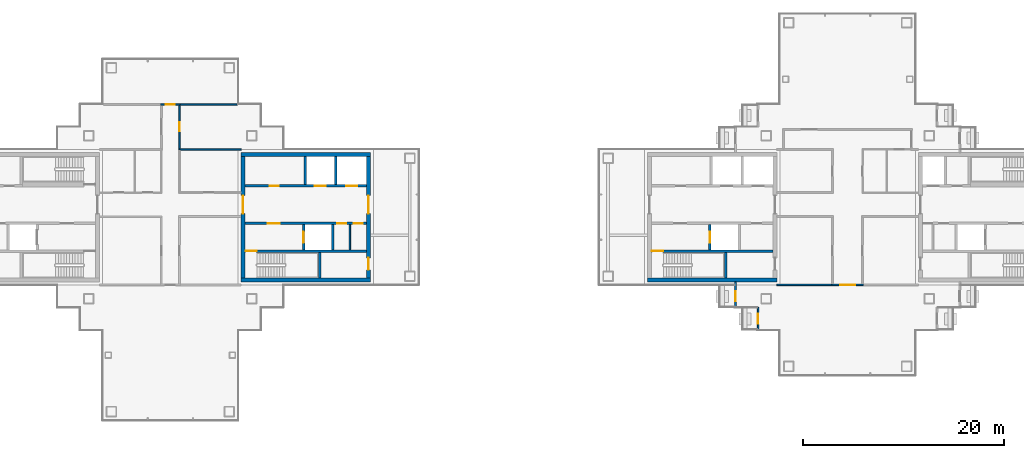
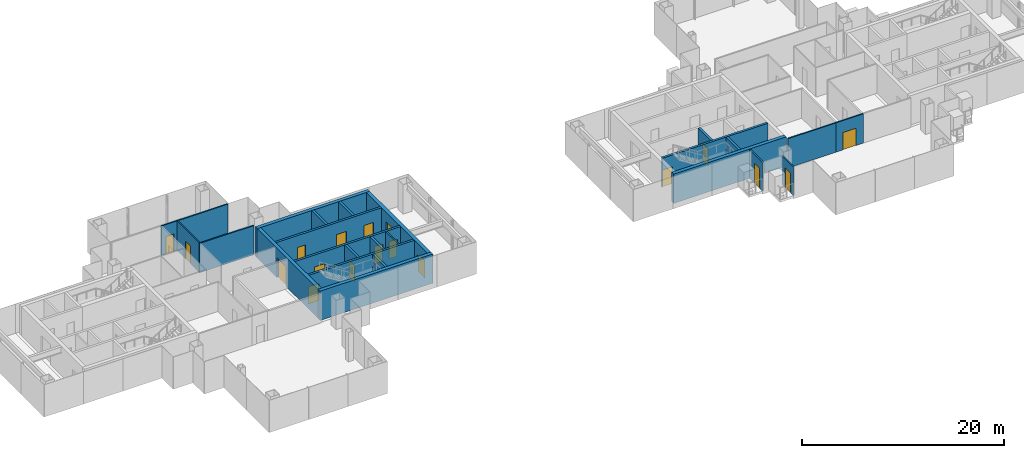
# One storey, part 10 of 16: 25 walls, 18 doors, 18 openings.
"""IFC4 building model written with IfcOpenShell, lengths in metres."""

from ifc_helpers import new_model, si_unit, direction, frame, frame_2d, origin, place, context, subcontext, project, spatial, rectangle, extrude, material, layer, layer_set, type_object, element, fill, save


model = new_model("IFC4")

# Units and contexts
model_context = context("Model", 3, precision=1e-05, world=origin(), true_north=direction((0.0, 1.0)))
body_context = subcontext(model_context, "Body", "Model", "MODEL_VIEW")
ifc_project = project(units=[si_unit("LENGTHUNIT", "METRE"), si_unit("AREAUNIT", "SQUARE_METRE"), si_unit("VOLUMEUNIT", "CUBIC_METRE"), si_unit("PLANEANGLEUNIT", "RADIAN"), si_unit("MASSUNIT", "GRAM", prefix="KILO")], contexts=[model_context])

# Site, building, storey
site_placement = place(None, origin())
site = spatial("IfcSite", under=ifc_project, at=site_placement, CompositionType="ELEMENT")
building_placement = place(site_placement, origin())
building = spatial("IfcBuilding", under=site, at=building_placement, Name="Shamsa Quay Exchange Towers", CompositionType="ELEMENT")
storey_placement = place(building_placement, frame((0.0, 0.0, 210.0)))
storey = spatial("IfcBuildingStorey", under=building, at=storey_placement, Name="L50", CompositionType="ELEMENT", Elevation=210.0)

# Wall, opening, door
ifc_material_1 = material(Name="Aluminium EN AW-6063 T6, black anodised, with black enamelled glass infill", Category="aluminium")
ifc_layer_1 = layer(ifc_material_1, 0.14990234375)
ifc_layer_set_1 = layer_set([ifc_layer_1], Name="BALCONY DOOR BAY WALL 150")
wall_type_1 = type_object("IfcWallType", Name="BALCONY DOOR BAY WALL 150", PredefinedType="SOLIDWALL", material=ifc_layer_set_1)
wall_1_placement = place(storey_placement, frame((22.574951171875, -9.0, 0.0), z_axis=(0.0, 0.0, 1.0), x_axis=(0.0, 1.0, 0.0)))
wall_1 = element("IfcWall", 1, at=wall_1_placement, inside=storey, type_object=wall_type_1, Name="Door bay T2-PKWN L50", PredefinedType="SOLIDWALL", context=body_context, shape_type="SweptSolid", body=[
    extrude(rectangle(XDim=2.556884765625, YDim=0.14990234375, at=frame_2d((1.2783203125, 0.0))), origin(), (0.0, 0.0, 1.0), 3.449951171875),
])
opening_1_placement = place(wall_1_placement, frame((0.625, 0.0, 0.0)))
opening_1 = element("IfcOpeningElement", 2, at=opening_1_placement, cuts=wall_1, Name="Opening XD333", PredefinedType="OPENING", context=body_context, shape_type="SweptSolid", body=[
    extrude(rectangle(XDim=1.0, YDim=2.39990234375, at=frame_2d((0.5, 1.199951171875))), frame((0.0, 0.0849609375, 0.0), z_axis=(0.0, -1.0, 0.0), x_axis=(1.0, 0.0, 0.0)), (0.0, 0.0, 1.0), 0.169921875),
])
ifc_material_2 = material(Name="Aluminium EN AW-6063 T6, black anodised, with laminated glass leaf", Category="aluminium")
door_type_1 = type_object("IfcDoorType", Name="BALCONY DOOR 1000x2400", OperationType="SINGLE_SWING_LEFT", PredefinedType="DOOR", material=ifc_material_2)
door_1_placement = place(opening_1_placement, origin())
door_1 = element("IfcDoor", 3, at=door_1_placement, inside=storey, type_object=door_type_1, Name="Balcony door T2-PKWN L50", OperationType="SINGLE_SWING_LEFT", OverallHeight=2.39990234375, OverallWidth=1.0, PredefinedType="DOOR", context=body_context, shape_type="SweptSolid", body=[
    extrude(rectangle(XDim=1.0, YDim=2.39990234375, at=frame_2d((0.5, 1.199951171875))), frame((0.0, 0.02490234375, 0.0), z_axis=(0.0, -1.0, 0.0), x_axis=(1.0, 0.0, 0.0)), (0.0, 0.0, 1.0), 0.050048828125),
])
fill(opening_1, door_1)

wall_2_placement = place(storey_placement, frame((24.824951171875, -11.25, 0.0), z_axis=(0.0, 0.0, 1.0), x_axis=(0.0, 1.0, 0.0)))
wall_2 = element("IfcWall", 4, at=wall_2_placement, inside=storey, type_object=wall_type_1, Name="Door bay T2-PKWN L50", PredefinedType="SOLIDWALL", context=body_context, shape_type="SweptSolid", body=[
    extrude(rectangle(XDim=2.25, YDim=0.14990234375, at=frame_2d((1.125, 0.0))), origin(), (0.0, 0.0, 1.0), 3.449951171875),
])
opening_2_placement = place(wall_2_placement, frame((0.625, 0.0, 0.0)))
opening_2 = element("IfcOpeningElement", 5, at=opening_2_placement, cuts=wall_2, Name="Opening XD334", PredefinedType="OPENING", context=body_context, shape_type="SweptSolid", body=[
    extrude(rectangle(XDim=1.0, YDim=2.39990234375, at=frame_2d((0.5, 1.199951171875))), frame((0.0, 0.0849609375, 0.0), z_axis=(0.0, -1.0, 0.0), x_axis=(1.0, 0.0, 0.0)), (0.0, 0.0, 1.0), 0.169921875),
])
door_2_placement = place(opening_2_placement, origin())
door_2 = element("IfcDoor", 6, at=door_2_placement, inside=storey, type_object=door_type_1, Name="Balcony door T2-PKWN L50", OperationType="SINGLE_SWING_RIGHT", OverallHeight=2.39990234375, OverallWidth=1.0, PredefinedType="DOOR", context=body_context, shape_type="SweptSolid", body=[
    extrude(rectangle(XDim=1.0, YDim=2.39990234375, at=frame_2d((0.5, 1.199951171875))), frame((0.0, 0.02490234375, 0.0), z_axis=(0.0, -1.0, 0.0), x_axis=(1.0, 0.0, 0.0)), (0.0, 0.0, 1.0), 0.050048828125),
])
fill(opening_2, door_2)

# Walls
ifc_material_3 = material(Name="Concrete C60/75", Category="concrete")
ifc_layer_2 = layer(ifc_material_3, 0.39990234375)
ifc_layer_set_2 = layer_set([ifc_layer_2], Name="CORE WALL 400 C60/75")
wall_type_2 = type_object("IfcWallType", Name="CORE WALL 400 C60/75", PredefinedType="SHEAR", material=ifc_layer_set_2)
for number, where, name in (
    (7, (-26.699951171875, -6.25, 0.0), "Core wall T1A-R23-PS"),
    (8, (-26.699951171875, 6.25, 0.0), "Core wall T1A-R23-PN"),
):
    element("IfcWall", number, at=place(storey_placement, frame(where)), inside=storey, type_object=wall_type_2, Name=name, PredefinedType="SHEAR", context=body_context, shape_type="SweptSolid", body=[
        extrude(rectangle(XDim=12.89990234375, YDim=0.39990234375, at=frame_2d((6.449951171875, 0.0))), origin(), (0.0, 0.0, 1.0), 3.550048828125),
    ])

# Wall, opening, door
wall_3_placement = place(storey_placement, frame((-26.5, 6.050048828125, 0.0), z_axis=(0.0, 0.0, 1.0), x_axis=(0.0, -1.0, 0.0)))
wall_3 = element("IfcWall", 9, at=wall_3_placement, inside=storey, type_object=wall_type_2, Name="Core wall T1A-R23-PF", PredefinedType="SHEAR", context=body_context, shape_type="SweptSolid", body=[
    extrude(rectangle(XDim=12.10009765625, YDim=0.39990234375, at=frame_2d((6.050048828125, 0.0))), origin(), (0.0, 0.0, 1.0), 3.550048828125),
])
opening_3_placement = place(wall_3_placement, frame((3.89990234375, 0.0, 0.0)))
opening_3 = element("IfcOpeningElement", 10, at=opening_3_placement, cuts=wall_3, Name="Opening T1A-R23-LBD01", PredefinedType="OPENING", context=body_context, shape_type="SweptSolid", body=[
    extrude(rectangle(XDim=1.800048828125, YDim=2.39990234375, at=frame_2d((0.89990234375, 1.199951171875))), frame((0.0, 0.2099609375, 0.0), z_axis=(0.0, -1.0, 0.0), x_axis=(1.0, 0.0, 0.0)), (0.0, 0.0, 1.0), 0.419921875),
])
ifc_material_4 = material(Name="Steel, fire rated", Category="steel")
door_type_2 = type_object("IfcDoorType", Name="LIFT LOBBY DOOR PAIR 1800", OperationType="DOUBLE_DOOR_SINGLE_SWING", PredefinedType="DOOR", material=ifc_material_4)
door_3_placement = place(opening_3_placement, origin())
door_3 = element("IfcDoor", 11, at=door_3_placement, inside=storey, type_object=door_type_2, Name="T1A-R23-LBD01", OperationType="DOUBLE_DOOR_SINGLE_SWING", OverallHeight=2.39990234375, OverallWidth=1.800048828125, PredefinedType="DOOR", context=body_context, shape_type="SweptSolid", body=[
    extrude(rectangle(XDim=1.800048828125, YDim=2.39990234375, at=frame_2d((0.89990234375, 1.199951171875))), frame((0.0, 0.02490234375, 0.0), z_axis=(0.0, -1.0, 0.0), x_axis=(1.0, 0.0, 0.0)), (0.0, 0.0, 1.0), 0.050048828125),
])
fill(opening_3, door_3)

# Wall, openings, doors
wall_4_placement = place(storey_placement, frame((-14.0, 6.050048828125, 0.0), z_axis=(0.0, 0.0, 1.0), x_axis=(0.0, -1.0, 0.0)))
wall_4 = element("IfcWall", 12, at=wall_4_placement, inside=storey, type_object=wall_type_2, Name="Core wall T1A-R23-PB", PredefinedType="SHEAR", context=body_context, shape_type="SweptSolid", body=[
    extrude(rectangle(XDim=12.10009765625, YDim=0.39990234375, at=frame_2d((6.050048828125, 0.0))), origin(), (0.0, 0.0, 1.0), 3.550048828125),
])
opening_4_placement = place(wall_4_placement, frame((10.10009765625, 0.0, 0.0)))
opening_4 = element("IfcOpeningElement", 13, at=opening_4_placement, cuts=wall_4, Name="Opening T1A-R23-RD02", PredefinedType="OPENING", context=body_context, shape_type="SweptSolid", body=[
    extrude(rectangle(XDim=1.199951171875, YDim=2.10009765625, at=frame_2d((0.60009765625, 1.050048828125))), frame((0.0, 0.2099609375, 0.0), z_axis=(0.0, -1.0, 0.0), x_axis=(1.0, 0.0, 0.0)), (0.0, 0.0, 1.0), 0.419921875),
])
opening_5_placement = place(wall_4_placement, frame((3.89990234375, 0.0, 0.0)))
opening_5 = element("IfcOpeningElement", 14, at=opening_5_placement, cuts=wall_4, Name="Opening T1A-R23-LBD03", PredefinedType="OPENING", context=body_context, shape_type="SweptSolid", body=[
    extrude(rectangle(XDim=1.800048828125, YDim=2.39990234375, at=frame_2d((0.89990234375, 1.199951171875))), frame((0.0, 0.2099609375, 0.0), z_axis=(0.0, -1.0, 0.0), x_axis=(1.0, 0.0, 0.0)), (0.0, 0.0, 1.0), 0.419921875),
])
door_4_placement = place(opening_5_placement, origin())
door_4 = element("IfcDoor", 15, at=door_4_placement, inside=storey, type_object=door_type_2, Name="T1A-R23-LBD03", OperationType="DOUBLE_DOOR_SINGLE_SWING", OverallHeight=2.39990234375, OverallWidth=1.800048828125, PredefinedType="DOOR", context=body_context, shape_type="SweptSolid", body=[
    extrude(rectangle(XDim=1.800048828125, YDim=2.39990234375, at=frame_2d((0.89990234375, 1.199951171875))), frame((0.0, 0.02490234375, 0.0), z_axis=(0.0, -1.0, 0.0), x_axis=(1.0, 0.0, 0.0)), (0.0, 0.0, 1.0), 0.050048828125),
])
fill(opening_5, door_4)
door_type_3 = type_object("IfcDoorType", Name="RISER ACCESS DOOR 1200", OperationType="SINGLE_SWING_LEFT", PredefinedType="DOOR", material=ifc_material_4)
door_5_placement = place(opening_4_placement, origin())
door_5 = element("IfcDoor", 16, at=door_5_placement, inside=storey, type_object=door_type_3, Name="T1A-R23-RD02", OperationType="SINGLE_SWING_RIGHT", OverallHeight=2.10009765625, OverallWidth=1.199951171875, PredefinedType="DOOR", context=body_context, shape_type="SweptSolid", body=[
    extrude(rectangle(XDim=1.199951171875, YDim=2.10009765625, at=frame_2d((0.60009765625, 1.050048828125))), frame((0.0, 0.02490234375, 0.0), z_axis=(0.0, -1.0, 0.0), x_axis=(1.0, 0.0, 0.0)), (0.0, 0.0, 1.0), 0.050048828125),
])
fill(opening_4, door_5)

# Walls
wall_5_placement = place(storey_placement, frame((13.800048828125, -6.25, 0.0)))
element("IfcWall", 17, at=wall_5_placement, inside=storey, type_object=wall_type_2, Name="Core wall T2A-R23-PS", PredefinedType="SHEAR", context=body_context, shape_type="SweptSolid", body=[
    extrude(rectangle(XDim=12.89990234375, YDim=0.39990234375, at=frame_2d((6.449951171875, 0.0))), origin(), (0.0, 0.0, 1.0), 3.550048828125),
])
ifc_material_5 = material(Name="Gypsum board on steel studs, EI 60", Category="steel")
ifc_layer_3 = layer(ifc_material_5, 0.14990234375)
ifc_layer_set_3 = layer_set([ifc_layer_3], Name="FIRE PARTITION 150")
wall_type_3 = type_object("IfcWallType", Name="FIRE PARTITION 150", PredefinedType="PARTITIONING", material=ifc_layer_set_3)
wall_6_placement = place(storey_placement, frame((-15.85009765625, -3.25, 0.0), z_axis=(0.0, 0.0, 1.0), x_axis=(0.0, 1.0, 0.0)))
element("IfcWall", 18, at=wall_6_placement, inside=storey, type_object=wall_type_3, Name="Partition T1A-R23-EC0", PredefinedType="PARTITIONING", context=body_context, shape_type="SweptSolid", body=[
    extrude(rectangle(XDim=2.5, YDim=0.14990234375, at=frame_2d((1.25, 0.0))), origin(), (0.0, 0.0, 1.0), 3.550048828125),
])

# Wall, opening, door
ifc_material_6 = material(Name="Gypsum board partition on metal studs")
ifc_layer_4 = layer(ifc_material_6, 0.14990234375)
ifc_layer_set_4 = layer_set([ifc_layer_4], Name="Partition 150 mm EI 60")
wall_type_4 = type_object("IfcWallType", Name="Partition 150 mm EI 60", PredefinedType="PARTITIONING", material=ifc_layer_set_4)
wall_7_placement = place(storey_placement, frame((-32.849609375, 11.175048828125, 0.0), z_axis=(0.0, 0.0, 1.0), x_axis=(0.0, -1.0, 0.0)))
wall_7 = element("IfcWall", 19, at=wall_7_placement, inside=storey, type_object=wall_type_4, Name="Partition T1-R23-W09", PredefinedType="PARTITIONING", context=body_context, shape_type="SweptSolid", body=[
    extrude(rectangle(XDim=4.35009765625, YDim=0.14990234375, at=frame_2d((2.175048828125, 0.0))), origin(), (0.0, 0.0, 1.0), 3.550048828125),
])
opening_6_placement = place(wall_7_placement, frame((1.72509765625, 0.0, 0.0)))
opening_6 = element("IfcOpeningElement", 20, at=opening_6_placement, cuts=wall_7, Name="Opening T1-R23-D09", PredefinedType="OPENING", context=body_context, shape_type="SweptSolid", body=[
    extrude(rectangle(XDim=0.89990234375, YDim=2.10009765625, at=frame_2d((0.449951171875, 1.050048828125))), frame((0.0, 0.0849609375, 0.0), z_axis=(0.0, -1.0, 0.0), x_axis=(1.0, 0.0, 0.0)), (0.0, 0.0, 1.0), 0.169921875),
])
ifc_material_7 = material(Name="Timber door leaf in a metal frame", Category="wood")
door_type_4 = type_object("IfcDoorType", Name="Door 900x2100 FD30S", OperationType="NOTDEFINED", PredefinedType="DOOR", material=ifc_material_7)
door_6_placement = place(opening_6_placement, origin())
door_6 = element("IfcDoor", 21, at=door_6_placement, inside=storey, type_object=door_type_4, Name="Door T1-R23-D09", OperationType="SINGLE_SWING_LEFT", OverallHeight=2.10009765625, OverallWidth=0.89990234375, PredefinedType="DOOR", context=body_context, shape_type="SweptSolid", body=[
    extrude(rectangle(XDim=0.89990234375, YDim=2.10009765625, at=frame_2d((0.449951171875, 1.050048828125))), frame((0.0, 0.02490234375, 0.0), z_axis=(0.0, -1.0, 0.0), x_axis=(1.0, 0.0, 0.0)), (0.0, 0.0, 1.0), 0.050048828125),
])
fill(opening_6, door_6)

wall_8_placement = place(storey_placement, frame((-34.725341796875, 11.25, 0.0)))
wall_8 = element("IfcWall", 22, at=wall_8_placement, inside=storey, type_object=wall_type_4, Name="Partition T1-R23-W11", PredefinedType="PARTITIONING", context=body_context, shape_type="SweptSolid", body=[
    extrude(rectangle(XDim=1.95068359375, YDim=0.14990234375, at=frame_2d((0.975341796875, 0.0))), origin(), (0.0, 0.0, 1.0), 3.550048828125),
])
opening_7_placement = place(wall_8_placement, frame((0.525390625, 0.0, 0.0)))
opening_7 = element("IfcOpeningElement", 23, at=opening_7_placement, cuts=wall_8, Name="Opening T1-R23-D05", PredefinedType="OPENING", context=body_context, shape_type="SweptSolid", body=[
    extrude(rectangle(XDim=0.89990234375, YDim=2.10009765625, at=frame_2d((0.449951171875, 1.050048828125))), frame((0.0, 0.0849609375, 0.0), z_axis=(0.0, -1.0, 0.0), x_axis=(1.0, 0.0, 0.0)), (0.0, 0.0, 1.0), 0.169921875),
])
door_7_placement = place(opening_7_placement, origin())
door_7 = element("IfcDoor", 24, at=door_7_placement, inside=storey, type_object=door_type_4, Name="Door T1-R23-D05", OperationType="SINGLE_SWING_LEFT", OverallHeight=2.10009765625, OverallWidth=0.89990234375, PredefinedType="DOOR", context=body_context, shape_type="SweptSolid", body=[
    extrude(rectangle(XDim=0.89990234375, YDim=2.10009765625, at=frame_2d((0.449951171875, 1.050048828125))), frame((0.0, 0.02490234375, 0.0), z_axis=(0.0, -1.0, 0.0), x_axis=(1.0, 0.0, 0.0)), (0.0, 0.0, 1.0), 0.050048828125),
])
fill(opening_7, door_7)

# Walls
wall_9_placement = place(storey_placement, frame((-26.699951171875, 6.75, 0.0), z_axis=(0.0, 0.0, 1.0), x_axis=(-1.0, 0.0, 0.0)))
element("IfcWall", 25, at=wall_9_placement, inside=storey, type_object=wall_type_4, Name="Partition T1-R23-W13", PredefinedType="PARTITIONING", context=body_context, shape_type="SweptSolid", body=[
    extrude(rectangle(XDim=6.224609375, YDim=0.14990234375, at=frame_2d((3.1123046875, 0.0))), origin(), (0.0, 0.0, 1.0), 3.550048828125),
])
wall_10_placement = place(storey_placement, frame((-27.094970703125, 11.25, 0.0), z_axis=(0.0, 0.0, 1.0), x_axis=(-1.0, 0.0, 0.0)))
element("IfcWall", 26, at=wall_10_placement, inside=storey, type_object=wall_type_4, Name="Partition T1-R23-W18", PredefinedType="PARTITIONING", context=body_context, shape_type="SweptSolid", body=[
    extrude(rectangle(XDim=5.82958984375, YDim=0.14990234375, at=frame_2d((2.914794921875, 0.0))), origin(), (0.0, 0.0, 1.0), 3.550048828125),
])

# Wall, opening, door
wall_11_placement = place(storey_placement, frame((35.324951171875, -6.75, 0.0), z_axis=(0.0, 0.0, 1.0), x_axis=(-1.0, 0.0, 0.0)))
wall_11 = element("IfcWall", 27, at=wall_11_placement, inside=storey, type_object=wall_type_4, Name="Partition T2-R23-W15", PredefinedType="PARTITIONING", context=body_context, shape_type="SweptSolid", body=[
    extrude(rectangle(XDim=3.14990234375, YDim=0.14990234375, at=frame_2d((1.574951171875, 0.0))), origin(), (0.0, 0.0, 1.0), 3.550048828125),
])
opening_8_placement = place(wall_11_placement, frame((0.824951171875, 0.0, 0.0)))
opening_8 = element("IfcOpeningElement", 28, at=opening_8_placement, cuts=wall_11, Name="Opening T2-R23-D05", PredefinedType="OPENING", context=body_context, shape_type="SweptSolid", body=[
    extrude(rectangle(XDim=1.5, YDim=2.10009765625, at=frame_2d((0.75, 1.050048828125))), frame((0.0, 0.0849609375, 0.0), z_axis=(0.0, -1.0, 0.0), x_axis=(1.0, 0.0, 0.0)), (0.0, 0.0, 1.0), 0.169921875),
])
door_type_5 = type_object("IfcDoorType", Name="Door 1500x2100 FD30S pair", OperationType="NOTDEFINED", PredefinedType="DOOR", material=ifc_material_7)
door_8_placement = place(opening_8_placement, origin())
door_8 = element("IfcDoor", 29, at=door_8_placement, inside=storey, type_object=door_type_5, Name="Door T2-R23-D05", OperationType="DOUBLE_DOOR_SINGLE_SWING", OverallHeight=2.10009765625, OverallWidth=1.5, PredefinedType="DOOR", context=body_context, shape_type="SweptSolid", body=[
    extrude(rectangle(XDim=1.5, YDim=2.10009765625, at=frame_2d((0.75, 1.050048828125))), frame((0.0, 0.02490234375, 0.0), z_axis=(0.0, -1.0, 0.0), x_axis=(1.0, 0.0, 0.0)), (0.0, 0.0, 1.0), 0.050048828125),
])
fill(opening_8, door_8)

# Wall
wall_12_placement = place(storey_placement, frame((26.699951171875, -6.75, 0.0)))
element("IfcWall", 30, at=wall_12_placement, inside=storey, type_object=wall_type_4, Name="Partition T2-R23-W17", PredefinedType="PARTITIONING", context=body_context, shape_type="SweptSolid", body=[
    extrude(rectangle(XDim=5.625, YDim=0.14990234375, at=frame_2d((2.8125, 0.0))), origin(), (0.0, 0.0, 1.0), 3.550048828125),
])

# Wall, opening, door
ifc_material_8 = material(Name="Concrete C50/60", Category="concrete")
ifc_layer_5 = layer(ifc_material_8, 0.25)
ifc_layer_set_5 = layer_set([ifc_layer_5], Name="SHAFT WALL 250 C50/60")
wall_type_5 = type_object("IfcWallType", Name="SHAFT WALL 250 C50/60", PredefinedType="SHEAR", material=ifc_layer_set_5)
wall_13_placement = place(storey_placement, frame((-14.199951171875, -3.375, 0.0), z_axis=(0.0, 0.0, 1.0), x_axis=(-1.0, 0.0, 0.0)))
wall_13 = element("IfcWall", 31, at=wall_13_placement, inside=storey, type_object=wall_type_5, Name="Shaft wall T1A-R23-STL", PredefinedType="SHEAR", context=body_context, shape_type="SweptSolid", body=[
    extrude(rectangle(XDim=12.10009765625, YDim=0.25, at=frame_2d((6.050048828125, 0.0))), origin(), (0.0, 0.0, 1.0), 3.550048828125),
])
opening_9_placement = place(wall_13_placement, frame((10.949951171875, 0.0, 0.0)))
opening_9 = element("IfcOpeningElement", 32, at=opening_9_placement, cuts=wall_13, Name="Opening T1A-R23-SD04", PredefinedType="OPENING", context=body_context, shape_type="SweptSolid", body=[
    extrude(rectangle(XDim=1.10009765625, YDim=2.10009765625, at=frame_2d((0.550048828125, 1.050048828125))), frame((0.0, 0.135009765625, 0.0), z_axis=(0.0, -1.0, 0.0), x_axis=(1.0, 0.0, 0.0)), (0.0, 0.0, 1.0), 0.27001953125),
])
door_type_6 = type_object("IfcDoorType", Name="STAIR DOOR 1100", OperationType="SINGLE_SWING_LEFT", PredefinedType="DOOR", material=ifc_material_4)
door_9_placement = place(opening_9_placement, origin())
door_9 = element("IfcDoor", 33, at=door_9_placement, inside=storey, type_object=door_type_6, Name="T1A-R23-SD04", OperationType="SINGLE_SWING_RIGHT", OverallHeight=2.10009765625, OverallWidth=1.10009765625, PredefinedType="DOOR", context=body_context, shape_type="SweptSolid", body=[
    extrude(rectangle(XDim=1.10009765625, YDim=2.10009765625, at=frame_2d((0.550048828125, 1.050048828125))), frame((0.0, 0.02490234375, 0.0), z_axis=(0.0, -1.0, 0.0), x_axis=(1.0, 0.0, 0.0)), (0.0, 0.0, 1.0), 0.050048828125),
])
fill(opening_9, door_9)

# Wall
wall_14_placement = place(storey_placement, frame((-18.875, -6.050048828125, 0.0), z_axis=(0.0, 0.0, 1.0), x_axis=(0.0, 1.0, 0.0)))
element("IfcWall", 34, at=wall_14_placement, inside=storey, type_object=wall_type_5, Name="Shaft wall T1A-R23-STF", PredefinedType="SHEAR", context=body_context, shape_type="SweptSolid", body=[
    extrude(rectangle(XDim=2.550048828125, YDim=0.25, at=frame_2d((1.27490234375, 0.0))), origin(), (0.0, 0.0, 1.0), 3.550048828125),
])

# Wall, openings, doors
wall_15_placement = place(storey_placement, frame((-14.199951171875, -0.625, 0.0), z_axis=(0.0, 0.0, 1.0), x_axis=(-1.0, 0.0, 0.0)))
wall_15 = element("IfcWall", 35, at=wall_15_placement, inside=storey, type_object=wall_type_5, Name="Shaft wall T1A-R23-B", PredefinedType="SHEAR", context=body_context, shape_type="SweptSolid", body=[
    extrude(rectangle(XDim=12.10009765625, YDim=0.25, at=frame_2d((6.050048828125, 0.0))), origin(), (0.0, 0.0, 1.0), 3.550048828125),
])
opening_10_placement = place(wall_15_placement, frame((8.64990234375, 0.0, 0.0)))
opening_10 = element("IfcOpeningElement", 36, at=opening_10_placement, cuts=wall_15, Name="Opening T1A-R23-FD05", PredefinedType="OPENING", context=body_context, shape_type="SweptSolid", body=[
    extrude(rectangle(XDim=1.199951171875, YDim=2.10009765625, at=frame_2d((0.60009765625, 1.050048828125))), frame((0.0, 0.135009765625, 0.0), z_axis=(0.0, -1.0, 0.0), x_axis=(1.0, 0.0, 0.0)), (0.0, 0.0, 1.0), 0.27001953125),
])
opening_11_placement = place(wall_15_placement, frame((2.0, 0.0, 0.0)))
opening_11 = element("IfcOpeningElement", 37, at=opening_11_placement, cuts=wall_15, Name="Opening T1A-R23-SV06", PredefinedType="OPENING", context=body_context, shape_type="SweptSolid", body=[
    extrude(rectangle(XDim=0.89990234375, YDim=2.10009765625, at=frame_2d((0.449951171875, 1.050048828125))), frame((0.0, 0.135009765625, 0.0), z_axis=(0.0, -1.0, 0.0), x_axis=(1.0, 0.0, 0.0)), (0.0, 0.0, 1.0), 0.27001953125),
])
opening_12_placement = place(wall_15_placement, frame((0.375, 0.0, 0.0)))
opening_12 = element("IfcOpeningElement", 38, at=opening_12_placement, cuts=wall_15, Name="Opening T1A-R23-SV07", PredefinedType="OPENING", context=body_context, shape_type="SweptSolid", body=[
    extrude(rectangle(XDim=0.89990234375, YDim=2.10009765625, at=frame_2d((0.449951171875, 1.050048828125))), frame((0.0, 0.135009765625, 0.0), z_axis=(0.0, -1.0, 0.0), x_axis=(1.0, 0.0, 0.0)), (0.0, 0.0, 1.0), 0.27001953125),
])
door_type_7 = type_object("IfcDoorType", Name="FIRE SERVICE LOBBY DOOR 1200", OperationType="SINGLE_SWING_LEFT", PredefinedType="DOOR", material=ifc_material_4)
door_10_placement = place(opening_10_placement, origin())
door_10 = element("IfcDoor", 39, at=door_10_placement, inside=storey, type_object=door_type_7, Name="T1A-R23-FD05", OperationType="SINGLE_SWING_RIGHT", OverallHeight=2.10009765625, OverallWidth=1.199951171875, PredefinedType="DOOR", context=body_context, shape_type="SweptSolid", body=[
    extrude(rectangle(XDim=1.199951171875, YDim=2.10009765625, at=frame_2d((0.60009765625, 1.050048828125))), frame((0.0, 0.02490234375, 0.0), z_axis=(0.0, -1.0, 0.0), x_axis=(1.0, 0.0, 0.0)), (0.0, 0.0, 1.0), 0.050048828125),
])
fill(opening_10, door_10)
door_type_8 = type_object("IfcDoorType", Name="SERVICE ROOM DOOR 900", OperationType="SINGLE_SWING_LEFT", PredefinedType="DOOR", material=ifc_material_4)
door_11_placement = place(opening_11_placement, origin())
door_11 = element("IfcDoor", 40, at=door_11_placement, inside=storey, type_object=door_type_8, Name="T1A-R23-SV06", OperationType="SINGLE_SWING_LEFT", OverallHeight=2.10009765625, OverallWidth=0.89990234375, PredefinedType="DOOR", context=body_context, shape_type="SweptSolid", body=[
    extrude(rectangle(XDim=0.89990234375, YDim=2.10009765625, at=frame_2d((0.449951171875, 1.050048828125))), frame((0.0, 0.02490234375, 0.0), z_axis=(0.0, -1.0, 0.0), x_axis=(1.0, 0.0, 0.0)), (0.0, 0.0, 1.0), 0.050048828125),
])
fill(opening_11, door_11)
door_12_placement = place(opening_12_placement, origin())
door_12 = element("IfcDoor", 41, at=door_12_placement, inside=storey, type_object=door_type_8, Name="T1A-R23-SV07", OperationType="SINGLE_SWING_LEFT", OverallHeight=2.10009765625, OverallWidth=0.89990234375, PredefinedType="DOOR", context=body_context, shape_type="SweptSolid", body=[
    extrude(rectangle(XDim=0.89990234375, YDim=2.10009765625, at=frame_2d((0.449951171875, 1.050048828125))), frame((0.0, 0.02490234375, 0.0), z_axis=(0.0, -1.0, 0.0), x_axis=(1.0, 0.0, 0.0)), (0.0, 0.0, 1.0), 0.050048828125),
])
fill(opening_12, door_12)

# Wall, opening, door
wall_16_placement = place(storey_placement, frame((-20.47509765625, -3.25, 0.0), z_axis=(0.0, 0.0, 1.0), x_axis=(0.0, 1.0, 0.0)))
wall_16 = element("IfcWall", 42, at=wall_16_placement, inside=storey, type_object=wall_type_5, Name="Shaft wall T1A-R23-FFF", PredefinedType="SHEAR", context=body_context, shape_type="SweptSolid", body=[
    extrude(rectangle(XDim=2.5, YDim=0.25, at=frame_2d((1.25, 0.0))), origin(), (0.0, 0.0, 1.0), 3.550048828125),
])
opening_13_placement = place(wall_16_placement, frame((0.699951171875, 0.0, 0.0)))
opening_13 = element("IfcOpeningElement", 43, at=opening_13_placement, cuts=wall_16, Name="Opening T1A-R23-LDF08", PredefinedType="OPENING", context=body_context, shape_type="SweptSolid", body=[
    extrude(rectangle(XDim=1.10009765625, YDim=2.10009765625, at=frame_2d((0.550048828125, 1.050048828125))), frame((0.0, 0.135009765625, 0.0), z_axis=(0.0, -1.0, 0.0), x_axis=(1.0, 0.0, 0.0)), (0.0, 0.0, 1.0), 0.27001953125),
])
door_type_9 = type_object("IfcDoorType", Name="FIRE SERVICE LANDING DOOR 1100", OperationType="SLIDING_TO_LEFT", PredefinedType="DOOR", material=ifc_material_4)
door_13_placement = place(opening_13_placement, origin())
door_13 = element("IfcDoor", 44, at=door_13_placement, inside=storey, type_object=door_type_9, Name="T1A-R23-LDF08", OperationType="SLIDING_TO_LEFT", OverallHeight=2.10009765625, OverallWidth=1.10009765625, PredefinedType="DOOR", context=body_context, shape_type="SweptSolid", body=[
    extrude(rectangle(XDim=1.10009765625, YDim=2.10009765625, at=frame_2d((0.550048828125, 1.050048828125))), frame((0.0, 0.02490234375, 0.0), z_axis=(0.0, -1.0, 0.0), x_axis=(1.0, 0.0, 0.0)), (0.0, 0.0, 1.0), 0.050048828125),
])
fill(opening_13, door_13)

# Wall
wall_17_placement = place(storey_placement, frame((-17.574951171875, -3.25, 0.0), z_axis=(0.0, 0.0, 1.0), x_axis=(0.0, 1.0, 0.0)))
element("IfcWall", 45, at=wall_17_placement, inside=storey, type_object=wall_type_5, Name="Shaft wall T1A-R23-FFB", PredefinedType="SHEAR", context=body_context, shape_type="SweptSolid", body=[
    extrude(rectangle(XDim=2.5, YDim=0.25, at=frame_2d((1.25, 0.0))), origin(), (0.0, 0.0, 1.0), 3.550048828125),
])

# Wall, openings, doors
wall_18_placement = place(storey_placement, frame((-26.300048828125, 3.125, 0.0)))
wall_18 = element("IfcWall", 46, at=wall_18_placement, inside=storey, type_object=wall_type_5, Name="Shaft wall T1A-R23-N", PredefinedType="SHEAR", context=body_context, shape_type="SweptSolid", body=[
    extrude(rectangle(XDim=12.10009765625, YDim=0.25, at=frame_2d((6.050048828125, 0.0))), origin(), (0.0, 0.0, 1.0), 3.550048828125),
])
opening_14_placement = place(wall_18_placement, frame((6.949951171875, 0.0, 0.0)))
opening_14 = element("IfcOpeningElement", 47, at=opening_14_placement, cuts=wall_18, Name="Opening T1A-R23-LD09", PredefinedType="OPENING", context=body_context, shape_type="SweptSolid", body=[
    extrude(rectangle(XDim=1.10009765625, YDim=2.10009765625, at=frame_2d((0.550048828125, 1.050048828125))), frame((0.0, 0.135009765625, 0.0), z_axis=(0.0, -1.0, 0.0), x_axis=(1.0, 0.0, 0.0)), (0.0, 0.0, 1.0), 0.27001953125),
])
opening_15_placement = place(wall_18_placement, frame((10.074951171875, 0.0, 0.0)))
opening_15 = element("IfcOpeningElement", 48, at=opening_15_placement, cuts=wall_18, Name="Opening T1A-R23-LD10", PredefinedType="OPENING", context=body_context, shape_type="SweptSolid", body=[
    extrude(rectangle(XDim=1.10009765625, YDim=2.10009765625, at=frame_2d((0.550048828125, 1.050048828125))), frame((0.0, 0.135009765625, 0.0), z_axis=(0.0, -1.0, 0.0), x_axis=(1.0, 0.0, 0.0)), (0.0, 0.0, 1.0), 0.27001953125),
])
opening_16_placement = place(wall_18_placement, frame((2.47509765625, 0.0, 0.0)))
opening_16 = element("IfcOpeningElement", 49, at=opening_16_placement, cuts=wall_18, Name="Opening T1A-R23-SV11", PredefinedType="OPENING", context=body_context, shape_type="SweptSolid", body=[
    extrude(rectangle(XDim=0.89990234375, YDim=2.10009765625, at=frame_2d((0.449951171875, 1.050048828125))), frame((0.0, 0.135009765625, 0.0), z_axis=(0.0, -1.0, 0.0), x_axis=(1.0, 0.0, 0.0)), (0.0, 0.0, 1.0), 0.27001953125),
])
door_type_10 = type_object("IfcDoorType", Name="LANDING DOOR 1100", OperationType="SLIDING_TO_LEFT", PredefinedType="DOOR", material=ifc_material_4)
door_14_placement = place(opening_14_placement, origin())
door_14 = element("IfcDoor", 50, at=door_14_placement, inside=storey, type_object=door_type_10, Name="T1A-R23-LD09", OperationType="SLIDING_TO_LEFT", OverallHeight=2.10009765625, OverallWidth=1.10009765625, PredefinedType="DOOR", context=body_context, shape_type="SweptSolid", body=[
    extrude(rectangle(XDim=1.10009765625, YDim=2.10009765625, at=frame_2d((0.550048828125, 1.050048828125))), frame((0.0, 0.02490234375, 0.0), z_axis=(0.0, -1.0, 0.0), x_axis=(1.0, 0.0, 0.0)), (0.0, 0.0, 1.0), 0.050048828125),
])
fill(opening_14, door_14)
door_15_placement = place(opening_15_placement, origin())
door_15 = element("IfcDoor", 51, at=door_15_placement, inside=storey, type_object=door_type_10, Name="T1A-R23-LD10", OperationType="SLIDING_TO_LEFT", OverallHeight=2.10009765625, OverallWidth=1.10009765625, PredefinedType="DOOR", context=body_context, shape_type="SweptSolid", body=[
    extrude(rectangle(XDim=1.10009765625, YDim=2.10009765625, at=frame_2d((0.550048828125, 1.050048828125))), frame((0.0, 0.02490234375, 0.0), z_axis=(0.0, -1.0, 0.0), x_axis=(1.0, 0.0, 0.0)), (0.0, 0.0, 1.0), 0.050048828125),
])
fill(opening_15, door_15)
door_16_placement = place(opening_16_placement, origin())
door_16 = element("IfcDoor", 52, at=door_16_placement, inside=storey, type_object=door_type_8, Name="T1A-R23-SV11", OperationType="SINGLE_SWING_LEFT", OverallHeight=2.10009765625, OverallWidth=0.89990234375, PredefinedType="DOOR", context=body_context, shape_type="SweptSolid", body=[
    extrude(rectangle(XDim=0.89990234375, YDim=2.10009765625, at=frame_2d((0.449951171875, 1.050048828125))), frame((0.0, 0.02490234375, 0.0), z_axis=(0.0, -1.0, 0.0), x_axis=(1.0, 0.0, 0.0)), (0.0, 0.0, 1.0), 0.050048828125),
])
fill(opening_16, door_16)

# Walls
for number, where, z_axis, x_axis, name in (
    (53, (-20.324951171875, 3.25, 0.0), (0.0, 0.0, 1.0), (0.0, 1.0, 0.0), "Shaft wall T1A-R23-D1"),
    (54, (-17.27490234375, 3.25, 0.0), (0.0, 0.0, 1.0), (0.0, 1.0, 0.0), "Shaft wall T1A-R23-D2"),
):
    element("IfcWall", number, at=place(storey_placement, frame(where, z_axis=z_axis, x_axis=x_axis)), inside=storey, type_object=wall_type_5, Name=name, PredefinedType="SHEAR", context=body_context, shape_type="SweptSolid", body=[
        extrude(rectangle(XDim=2.800048828125, YDim=0.25, at=frame_2d((1.39990234375, 0.0))), origin(), (0.0, 0.0, 1.0), 3.550048828125),
    ])

# Wall, opening, door
wall_19_placement = place(storey_placement, frame((26.300048828125, -3.375, 0.0), z_axis=(0.0, 0.0, 1.0), x_axis=(-1.0, 0.0, 0.0)))
wall_19 = element("IfcWall", 55, at=wall_19_placement, inside=storey, type_object=wall_type_5, Name="Shaft wall T2A-R23-STL", PredefinedType="SHEAR", context=body_context, shape_type="SweptSolid", body=[
    extrude(rectangle(XDim=12.10009765625, YDim=0.25, at=frame_2d((6.050048828125, 0.0))), origin(), (0.0, 0.0, 1.0), 3.550048828125),
])
opening_17_placement = place(wall_19_placement, frame((10.949951171875, 0.0, 0.0)))
opening_17 = element("IfcOpeningElement", 56, at=opening_17_placement, cuts=wall_19, Name="Opening T2A-R23-SD04", PredefinedType="OPENING", context=body_context, shape_type="SweptSolid", body=[
    extrude(rectangle(XDim=1.10009765625, YDim=2.10009765625, at=frame_2d((0.550048828125, 1.050048828125))), frame((0.0, 0.135009765625, 0.0), z_axis=(0.0, -1.0, 0.0), x_axis=(1.0, 0.0, 0.0)), (0.0, 0.0, 1.0), 0.27001953125),
])
door_17_placement = place(opening_17_placement, origin())
door_17 = element("IfcDoor", 57, at=door_17_placement, inside=storey, type_object=door_type_6, Name="T2A-R23-SD04", OperationType="SINGLE_SWING_RIGHT", OverallHeight=2.10009765625, OverallWidth=1.10009765625, PredefinedType="DOOR", context=body_context, shape_type="SweptSolid", body=[
    extrude(rectangle(XDim=1.10009765625, YDim=2.10009765625, at=frame_2d((0.550048828125, 1.050048828125))), frame((0.0, 0.02490234375, 0.0), z_axis=(0.0, -1.0, 0.0), x_axis=(1.0, 0.0, 0.0)), (0.0, 0.0, 1.0), 0.050048828125),
])
fill(opening_17, door_17)

# Wall
wall_20_placement = place(storey_placement, frame((21.625, -6.050048828125, 0.0), z_axis=(0.0, 0.0, 1.0), x_axis=(0.0, 1.0, 0.0)))
element("IfcWall", 58, at=wall_20_placement, inside=storey, type_object=wall_type_5, Name="Shaft wall T2A-R23-STF", PredefinedType="SHEAR", context=body_context, shape_type="SweptSolid", body=[
    extrude(rectangle(XDim=2.550048828125, YDim=0.25, at=frame_2d((1.27490234375, 0.0))), origin(), (0.0, 0.0, 1.0), 3.550048828125),
])

# Wall, opening, door
wall_21_placement = place(storey_placement, frame((20.02490234375, -3.25, 0.0), z_axis=(0.0, 0.0, 1.0), x_axis=(0.0, 1.0, 0.0)))
wall_21 = element("IfcWall", 59, at=wall_21_placement, inside=storey, type_object=wall_type_5, Name="Shaft wall T2A-R23-FFF", PredefinedType="SHEAR", context=body_context, shape_type="SweptSolid", body=[
    extrude(rectangle(XDim=2.5, YDim=0.25, at=frame_2d((1.25, 0.0))), origin(), (0.0, 0.0, 1.0), 3.550048828125),
])
opening_18_placement = place(wall_21_placement, frame((0.699951171875, 0.0, 0.0)))
opening_18 = element("IfcOpeningElement", 60, at=opening_18_placement, cuts=wall_21, Name="Opening T2A-R23-LDF07", PredefinedType="OPENING", context=body_context, shape_type="SweptSolid", body=[
    extrude(rectangle(XDim=1.10009765625, YDim=2.10009765625, at=frame_2d((0.550048828125, 1.050048828125))), frame((0.0, 0.135009765625, 0.0), z_axis=(0.0, -1.0, 0.0), x_axis=(1.0, 0.0, 0.0)), (0.0, 0.0, 1.0), 0.27001953125),
])
door_18_placement = place(opening_18_placement, origin())
door_18 = element("IfcDoor", 61, at=door_18_placement, inside=storey, type_object=door_type_9, Name="T2A-R23-LDF07", OperationType="SLIDING_TO_LEFT", OverallHeight=2.10009765625, OverallWidth=1.10009765625, PredefinedType="DOOR", context=body_context, shape_type="SweptSolid", body=[
    extrude(rectangle(XDim=1.10009765625, YDim=2.10009765625, at=frame_2d((0.550048828125, 1.050048828125))), frame((0.0, 0.02490234375, 0.0), z_axis=(0.0, -1.0, 0.0), x_axis=(1.0, 0.0, 0.0)), (0.0, 0.0, 1.0), 0.050048828125),
])
fill(opening_18, door_18)

save(model, "model.ifc")
